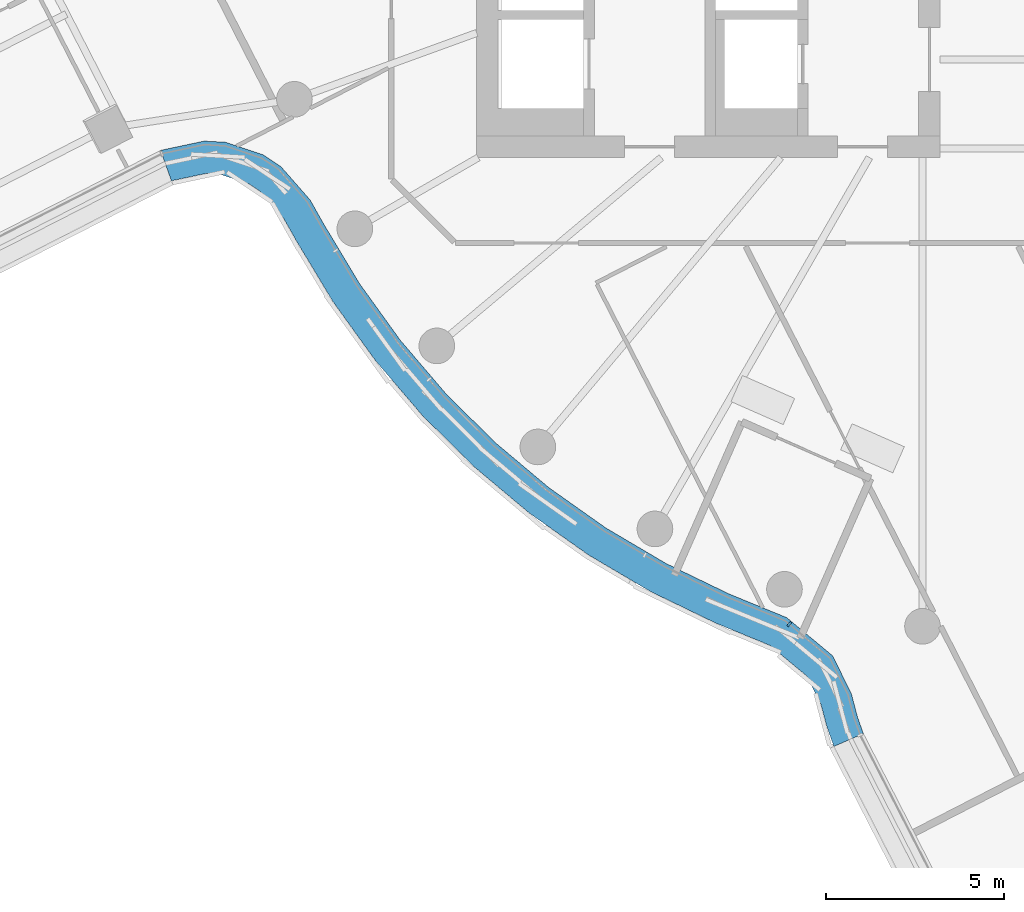
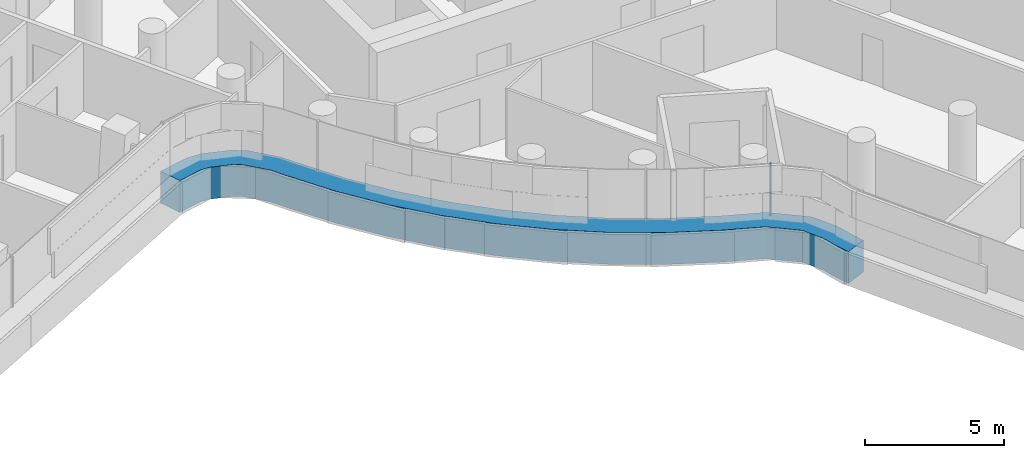
# One storey, part 5 of 37: 2 members, 1 element without a shape of its own.
"""IFC4 building model written with IfcOpenShell, lengths in metres."""

from ifc_helpers import new_model, si_unit, direction, frame, origin, origin_2d, place, context, subcontext, project, spatial, polyline, rectangle, outline, extrude, material, layer, layer_set, material_profile, profile_set, type_object, element, aggregate, save


model = new_model("IFC4")

# Units and contexts
model_context = context("Model", 3, precision=1e-05, world=origin(), true_north=direction((0.0, 1.0)))
body_context = subcontext(model_context, "Body", "Model", "MODEL_VIEW")
ifc_project = project(units=[si_unit("LENGTHUNIT", "METRE"), si_unit("AREAUNIT", "SQUARE_METRE"), si_unit("VOLUMEUNIT", "CUBIC_METRE"), si_unit("PLANEANGLEUNIT", "RADIAN"), si_unit("MASSUNIT", "GRAM", prefix="KILO")], contexts=[model_context])

# Site, building, storey
site_placement = place(None, origin())
site = spatial("IfcSite", under=ifc_project, at=site_placement, CompositionType="ELEMENT")
building_placement = place(site_placement, origin())
building = spatial("IfcBuilding", under=site, at=building_placement, Name="Tamarind Cross Interchange Tower", CompositionType="ELEMENT")
storey_placement = place(building_placement, frame((0.0, 0.0, 133.0)))
storey = spatial("IfcBuildingStorey", under=building, at=storey_placement, Name="L32", CompositionType="ELEMENT", Elevation=133.0)

# Curtain wall, members
ifc_material_1 = material(Name="Aluminium 6063-T6", Category="aluminium")
ifc_layer = layer(ifc_material_1, 0.14990234375)
ifc_layer_set = layer_set([ifc_layer], Name="Aluminium 6063-T6")
curtain_wall_type = type_object("IfcCurtainWallType", Name="Winter garden and crown curtain wall", PredefinedType="NOTDEFINED", material=ifc_layer_set)
curtain_wall_placement = place(storey_placement, origin())
curtain_wall = element("IfcCurtainWall", 1, at=curtain_wall_placement, inside=storey, type_object=curtain_wall_type, Name="CWS-L32-02", PredefinedType="NOTDEFINED")
ifc_material_2 = material(Name="Aluminium and insulated spandrel panel", Category="aluminium")
member_type_1 = type_object("IfcMemberType", Name="Floor-edge blade transom", PredefinedType="USERDEFINED", material=ifc_material_2)
member_1_placement = place(storey_placement, origin())
member_1 = element("IfcMember", 2, at=member_1_placement, type_object=member_type_1, Name="CWT-L32-02", ObjectType="TRANSOM", PredefinedType="USERDEFINED", context=body_context, shape_type="SweptSolid", body=[
    extrude(outline(polyline([(-25.368408203125, -9.29833984375), (-24.1435546875, -9.03857421875), (-23.550048828125, -9.07177734375), (-22.48876953125, -9.424560546875), (-21.993408203125, -9.75341796875), (-21.173583984375, -10.6884765625), (-20.795166015625, -11.360595703125), (-19.78125, -13.045654296875), (-18.636474609375, -14.634521484375), (-17.3642578125, -16.12353515625), (-15.973388671875, -17.50244140625), (-14.4736328125, -18.76171875), (-12.874755859375, -19.892822265625), (-11.188232421875, -20.88818359375), (-9.422119140625, -21.7421875), (-7.802734375, -22.406982421875), (-6.515869140625, -23.47705078125), (-5.989990234375, -24.54150390625), (-5.816162109375, -25.200927734375), (-5.6513671875, -25.662109375), (-6.47900390625, -26.0205078125), (-6.6767578125, -25.467529296875), (-6.837158203125, -24.85888671875), (-7.23828125, -24.047119140625), (-8.272216796875, -23.18701171875), (-9.7890625, -22.564208984375), (-11.613525390625, -21.68212890625), (-13.3642578125, -20.64892578125), (-15.023681640625, -19.474853515625), (-16.580810546875, -18.167724609375), (-18.0244140625, -16.736572265625), (-19.344970703125, -15.19091796875), (-20.533203125, -13.54150390625), (-21.572998046875, -11.8134765625), (-21.912109375, -11.21142578125), (-22.591064453125, -10.436767578125), (-22.886474609375, -10.24072265625), (-23.72021484375, -9.963623046875), (-24.07421875, -9.94384765625), (-25.065185546875, -10.154052734375), (-25.368408203125, -9.29833984375)])), origin(), (0.0, 0.0, 1.0), 1.39990234375),
])
ifc_material_profile = material_profile(ifc_material_1, rectangle(XDim=0.06005859375, YDim=0.14990234375, at=origin_2d()), Name="Mullion CW6")
ifc_profile_set = profile_set([ifc_material_profile], Name="Aluminium 6063-T6")
member_type_2 = type_object("IfcMemberType", Name="Mullion CW6", PredefinedType="MULLION", material=ifc_profile_set)
member_2_placement = place(storey_placement, frame((-7.736572265625, -22.592041015625, 1.39990234375), z_axis=(0.0, 0.0, 1.0), x_axis=(0.768852599928, -0.639426054821, 0.0)))
member_2 = element("IfcMember", 3, at=member_2_placement, type_object=member_type_2, Name="CWM-L32-02-04", PredefinedType="MULLION", context=body_context, shape_type="SweptSolid", body=[
    extrude(rectangle(XDim=0.06005859375, YDim=0.14990234375, at=origin_2d()), origin(), (0.0, 0.0, 1.0), 2.210205078125),
])
aggregate(curtain_wall, [member_2, member_1])

save(model, "model.ifc")
